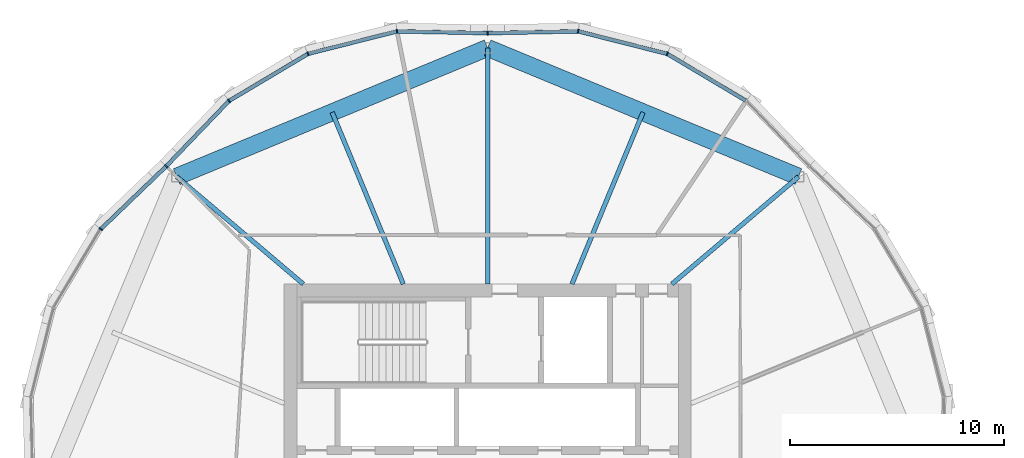
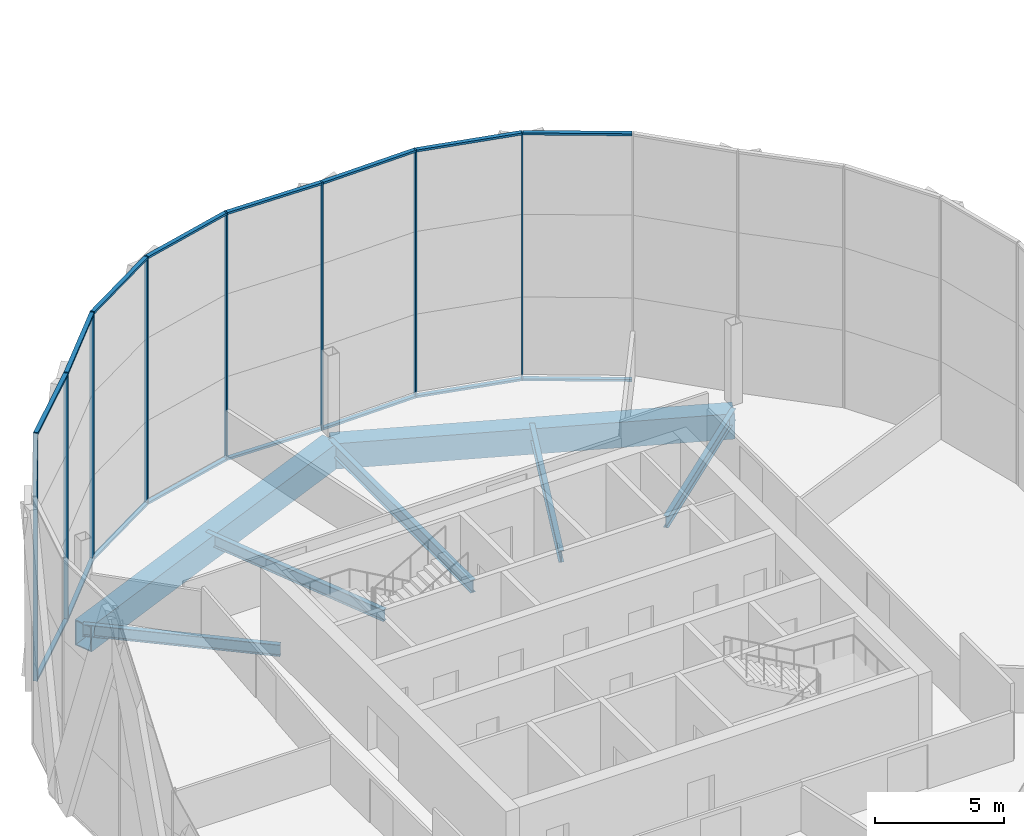
# One storey, part 7 of 25: 24 members, 7 beams, 3 elements without a shape of their own.
"""IFC4 building model written with IfcOpenShell, lengths in metres."""

from ifc_helpers import new_model, si_unit, direction, frame, origin, origin_2d, place, context, subcontext, project, spatial, rectangle, hollow_rectangle, i_section, extrude, material, material_profile, profile_set, type_object, element, aggregate, save


model = new_model("IFC4")

# Units and contexts
model_context = context("Model", 3, precision=1e-05, world=origin(), true_north=direction((0.0, 1.0)))
body_context = subcontext(model_context, "Body", "Model", "MODEL_VIEW")
ifc_project = project(units=[si_unit("LENGTHUNIT", "METRE"), si_unit("AREAUNIT", "SQUARE_METRE"), si_unit("VOLUMEUNIT", "CUBIC_METRE"), si_unit("PLANEANGLEUNIT", "RADIAN"), si_unit("MASSUNIT", "GRAM", prefix="KILO")], contexts=[model_context])

# Site, building, storey
site_placement = place(None, origin())
site = spatial("IfcSite", under=ifc_project, at=site_placement, CompositionType="ELEMENT")
building_placement = place(site_placement, origin())
building = spatial("IfcBuilding", under=site, at=building_placement, Name="Ogive Gate Towers", CompositionType="ELEMENT")
storey_placement = place(building_placement, frame((0.0, 0.0, 196.800048828125)))
storey = spatial("IfcBuildingStorey", under=building, at=storey_placement, Name="L47", CompositionType="ELEMENT", Elevation=196.800048828125)

# Beams
ifc_material_1 = material(Name="Steel SM460", Category="steel")
ifc_material_profile_1 = material_profile(ifc_material_1, hollow_rectangle(XDim=0.800048828125, YDim=1.199951171875, WallThickness=0.050048828125, at=origin_2d()), Name="BX 1200x800x50")
ifc_profile_set_1 = profile_set([ifc_material_profile_1], Name="Steel SM460")
beam_type_1 = type_object("IfcBeamType", Name="Edge girder BX 1200x800x50", PredefinedType="BEAM", material=ifc_profile_set_1)
for number, where, z_axis, x_axis, name in (
    (1, (-21.490234375, 14.509765625, -0.900146484375), (-0.923877006731, 0.38268953008, 0.0), (-0.38268953008, -0.923877006731, 0.0), "T1/L47/SBM021"),
    (2, (-36.0, 20.52001953125, -0.900146484375), (-0.923877006731, -0.38268953008, 0.0), (0.38268953008, -0.923877006731, 0.0), "T1/L47/SBM022"),
):
    element("IfcBeam", number, at=place(storey_placement, frame(where, z_axis=z_axis, x_axis=x_axis)), inside=storey, type_object=beam_type_1, Name=name, PredefinedType="BEAM", context=body_context, shape_type="SweptSolid", body=[
        extrude(hollow_rectangle(XDim=0.800048828125, YDim=1.199951171875, WallThickness=0.050048828125, at=origin_2d()), origin(), (0.0, 0.0, 1.0), 15.705322265625),
    ])
ifc_material_2 = material(Name="Steel SM355", Category="steel")
ifc_material_profile_2 = material_profile(ifc_material_2, i_section(OverallWidth=0.2099609375, OverallDepth=0.550048828125, WebThickness=0.010986328125, FlangeThickness=0.01708984375, FilletRadius=0.02392578125, at=origin_2d()), Name="IPE 550")
ifc_profile_set_2 = profile_set([ifc_material_profile_2], Name="Steel SM355")
beam_type_2 = type_object("IfcBeamType", Name="Radial floor beam IPE 550", PredefinedType="BEAM", material=ifc_profile_set_2)
beam_1_placement = place(storey_placement, frame((-27.39990234375, 9.5, -0.574951171875), z_axis=(0.762795484328, 0.64663981403, 0.0), x_axis=(-0.64663981403, 0.762795484328, 0.0)))
element("IfcBeam", 3, at=beam_1_placement, inside=storey, type_object=beam_type_2, Name="T1/L47/SBM009", PredefinedType="BEAM", context=body_context, shape_type="SweptSolid", body=[
    extrude(i_section(OverallWidth=0.2099609375, OverallDepth=0.550048828125, WebThickness=0.010986328125, FlangeThickness=0.01708984375, FilletRadius=0.02392578125, at=origin_2d()), origin(), (0.0, 0.0, 1.0), 7.747314453125),
])
for number, where, z_axis, x_axis, name in (
    (4, (-32.06494140625, 9.5, -0.574951171875), (0.382678218882, 0.92388169199, 0.0), (-0.92388169199, 0.382678218882, 0.0), "T1/L47/SBM010"),
    (5, (-39.93505859375, 9.5, -0.574951171875), (-0.382678218882, 0.92388169199, 0.0), (-0.92388169199, -0.382678218882, 0.0), "T1/L47/SBM012"),
):
    element("IfcBeam", number, at=place(storey_placement, frame(where, z_axis=z_axis, x_axis=x_axis)), inside=storey, type_object=beam_type_2, Name=name, PredefinedType="BEAM", context=body_context, shape_type="SweptSolid", body=[
        extrude(i_section(OverallWidth=0.2099609375, OverallDepth=0.550048828125, WebThickness=0.010986328125, FlangeThickness=0.01708984375, FilletRadius=0.02392578125, at=origin_2d()), origin(), (0.0, 0.0, 1.0), 8.67529296875),
    ])
beam_2_placement = place(storey_placement, frame((-44.60009765625, 9.5, -0.574951171875), z_axis=(-0.762795484328, 0.64663981403, 0.0), x_axis=(-0.64663981403, -0.762795484328, 0.0)))
element("IfcBeam", 6, at=beam_2_placement, inside=storey, type_object=beam_type_2, Name="T1/L47/SBM013", PredefinedType="BEAM", context=body_context, shape_type="SweptSolid", body=[
    extrude(i_section(OverallWidth=0.2099609375, OverallDepth=0.550048828125, WebThickness=0.010986328125, FlangeThickness=0.01708984375, FilletRadius=0.02392578125, at=origin_2d()), origin(), (0.0, 0.0, 1.0), 7.747314453125),
])
ifc_material_profile_3 = material_profile(ifc_material_2, i_section(OverallWidth=0.219970703125, OverallDepth=0.60009765625, WebThickness=0.011962890625, FlangeThickness=0.01904296875, FilletRadius=0.02392578125, at=origin_2d()), Name="IPE 600")
ifc_profile_set_3 = profile_set([ifc_material_profile_3], Name="Steel SM355")
beam_type_3 = type_object("IfcBeamType", Name="Radial floor beam IPE 600", PredefinedType="BEAM", material=ifc_profile_set_3)
beam_3_placement = place(storey_placement, frame((-36.0, 9.5, -0.60009765625), z_axis=(0.0, 1.0, 0.0), x_axis=(-1.0, 0.0, 0.0)))
element("IfcBeam", 7, at=beam_3_placement, inside=storey, type_object=beam_type_3, Name="T1/L47/SBM011", PredefinedType="BEAM", context=body_context, shape_type="SweptSolid", body=[
    extrude(i_section(OverallWidth=0.219970703125, OverallDepth=0.60009765625, WebThickness=0.011962890625, FlangeThickness=0.01904296875, FilletRadius=0.02392578125, at=origin_2d()), origin(), (0.0, 0.0, 1.0), 11.02001953125),
])

# Curtain wall, members
ifc_material_3 = material(Name="Pale metal aluminium", Category="aluminium")
curtain_wall_type = type_object("IfcCurtainWallType", Name="Tower unitised wall, high zone", PredefinedType="NOTDEFINED", material=ifc_material_3)
curtain_wall_1_placement = place(storey_placement, origin())
curtain_wall_1 = element("IfcCurtainWall", 8, at=curtain_wall_1_placement, inside=storey, type_object=curtain_wall_type, Name="CW2 T1 ECW02", PredefinedType="NOTDEFINED")
ifc_material_profile_4 = material_profile(ifc_material_3, rectangle(XDim=0.179931640625, YDim=0.06005859375, at=origin_2d()), Name="60 x 180 aluminium box")
ifc_profile_set_4 = profile_set([ifc_material_profile_4], Name="Pale metal aluminium")
member_type_1 = type_object("IfcMemberType", Name="Tower unitised wall, high zone mullion 60 x 180", PredefinedType="MULLION", material=ifc_profile_set_4)
member_1_placement = place(storey_placement, frame((-27.614990234375, 20.2431640625, -0.300048828125), z_axis=(0.0, 0.0, 1.0), x_axis=(0.382683432365, 0.923879532511, 0.0)))
member_1 = element("IfcMember", 9, at=member_1_placement, type_object=member_type_1, Name="CW2 mullion", PredefinedType="MULLION", context=body_context, shape_type="SweptSolid", body=[
    extrude(rectangle(XDim=0.179931640625, YDim=0.06005859375, at=origin_2d()), origin(), (0.0, 0.0, 1.0), 11.699951171875),
])
member_2_placement = place(storey_placement, frame((-31.771728515625, 21.294921875, -0.300048828125), z_axis=(0.0, 0.0, 1.0), x_axis=(0.113636730484, 0.993522366877, 0.0)))
member_2 = element("IfcMember", 10, at=member_2_placement, type_object=member_type_1, Name="CW2 mullion", PredefinedType="MULLION", context=body_context, shape_type="SweptSolid", body=[
    extrude(rectangle(XDim=0.179931640625, YDim=0.06005859375, at=origin_2d()), origin(), (0.0, 0.0, 1.0), 11.699951171875),
])
member_3_placement = place(storey_placement, frame((-35.999755859375, 21.2099609375, -0.300048828125), z_axis=(0.0, 0.0, 1.0), x_axis=(-0.020052489003, 0.999798928628, 0.0)))
member_3 = element("IfcMember", 11, at=member_3_placement, type_object=member_type_1, Name="CW2 mullion", PredefinedType="MULLION", context=body_context, shape_type="SweptSolid", body=[
    extrude(rectangle(XDim=0.179931640625, YDim=0.06005859375, at=origin_2d()), origin(), (0.0, 0.0, 1.0), 11.699951171875),
])

curtain_wall_2_placement = place(storey_placement, origin())
curtain_wall_2 = element("IfcCurtainWall", 12, at=curtain_wall_2_placement, inside=storey, type_object=curtain_wall_type, Name="CW2 T1 ECW03", PredefinedType="NOTDEFINED")
member_4_placement = place(storey_placement, frame((-40.228271484375, 21.294921875, -0.300048828125), z_axis=(0.0, 0.0, 1.0), x_axis=(-0.113636730484, 0.993522366877, 0.0)))
member_4 = element("IfcMember", 13, at=member_4_placement, type_object=member_type_1, Name="CW2 mullion", PredefinedType="MULLION", context=body_context, shape_type="SweptSolid", body=[
    extrude(rectangle(XDim=0.179931640625, YDim=0.06005859375, at=origin_2d()), origin(), (0.0, 0.0, 1.0), 11.699951171875),
])
member_5_placement = place(storey_placement, frame((-44.385009765625, 20.2431640625, -0.300048828125), z_axis=(0.0, 0.0, 1.0), x_axis=(-0.382683432365, 0.923879532511, 0.0)))
member_5 = element("IfcMember", 14, at=member_5_placement, type_object=member_type_1, Name="CW2 mullion", PredefinedType="MULLION", context=body_context, shape_type="SweptSolid", body=[
    extrude(rectangle(XDim=0.179931640625, YDim=0.06005859375, at=origin_2d()), origin(), (0.0, 0.0, 1.0), 11.699951171875),
])
member_6_placement = place(storey_placement, frame((-48.068115234375, 18.047607421875, -0.300048828125), z_axis=(0.0, 0.0, 1.0), x_axis=(-0.622173100162, 0.782879705596, 0.0)))
member_6 = element("IfcMember", 15, at=member_6_placement, type_object=member_type_1, Name="CW2 mullion", PredefinedType="MULLION", context=body_context, shape_type="SweptSolid", body=[
    extrude(rectangle(XDim=0.179931640625, YDim=0.06005859375, at=origin_2d()), origin(), (0.0, 0.0, 1.0), 11.699951171875),
])
member_7_placement = place(storey_placement, frame((-50.99755859375, 14.997802734375, -0.300048828125), z_axis=(0.0, 0.0, 1.0), x_axis=(-0.72114385321, 0.692785351302, 0.0)))
member_7 = element("IfcMember", 16, at=member_7_placement, type_object=member_type_1, Name="CW2 mullion", PredefinedType="MULLION", context=body_context, shape_type="SweptSolid", body=[
    extrude(rectangle(XDim=0.179931640625, YDim=0.06005859375, at=origin_2d()), origin(), (0.0, 0.0, 1.0), 11.699951171875),
])

# Curtain wall, member
curtain_wall_3_placement = place(storey_placement, origin())
curtain_wall_3 = element("IfcCurtainWall", 17, at=curtain_wall_3_placement, inside=storey, type_object=curtain_wall_type, Name="CW2 T1 ECW04", PredefinedType="NOTDEFINED")
member_8_placement = place(storey_placement, frame((-54.047607421875, 12.068115234375, -0.300048828125), z_axis=(0.0, 0.0, 1.0), x_axis=(-0.782879705596, 0.622173100162, 0.0)))
member_8 = element("IfcMember", 18, at=member_8_placement, type_object=member_type_1, Name="CW2 mullion", PredefinedType="MULLION", context=body_context, shape_type="SweptSolid", body=[
    extrude(rectangle(XDim=0.179931640625, YDim=0.06005859375, at=origin_2d()), origin(), (0.0, 0.0, 1.0), 11.699951171875),
])

# Member
ifc_material_profile_5 = material_profile(ifc_material_3, rectangle(XDim=0.179931640625, YDim=0.10009765625, at=origin_2d()), Name="100 x 180 aluminium box")
ifc_profile_set_5 = profile_set([ifc_material_profile_5], Name="Pale metal aluminium")
member_type_2 = type_object("IfcMemberType", Name="Tower unitised wall, high zone transom 100 x 180", PredefinedType="USERDEFINED", material=ifc_profile_set_5)
member_9_placement = place(storey_placement, frame((-23.956787109375, 18.062255859375, 11.349853515625), z_axis=(-0.858950879232, 0.512057991899, 0.0), x_axis=(-0.512057991899, -0.858950879232, 0.0)))
member_9 = element("IfcMember", 19, at=member_9_placement, type_object=member_type_2, Name="CW2 transom", ObjectType="TRANSOM", PredefinedType="USERDEFINED", context=body_context, shape_type="SweptSolid", body=[
    extrude(rectangle(XDim=0.179931640625, YDim=0.10009765625, at=origin_2d()), origin(), (0.0, 0.0, 1.0), 4.23046875),
])

member_10_placement = place(storey_placement, frame((-23.956787109375, 18.062255859375, -0.25), z_axis=(-0.858950879232, 0.512057991899, 0.0), x_axis=(-0.512057991899, -0.858950879232, 0.0)))
member_10 = element("IfcMember", 20, at=member_10_placement, type_object=member_type_2, Name="CW2 transom", ObjectType="TRANSOM", PredefinedType="USERDEFINED", context=body_context, shape_type="SweptSolid", body=[
    extrude(rectangle(XDim=0.179931640625, YDim=0.10009765625, at=origin_2d()), origin(), (0.0, 0.0, 1.0), 4.23046875),
])

member_11_placement = place(storey_placement, frame((-27.642578125, 20.25, 11.349853515625), z_axis=(-0.969459806068, 0.245250248559, 0.0), x_axis=(-0.245250248559, -0.969459806068, 0.0)))
member_11 = element("IfcMember", 21, at=member_11_placement, type_object=member_type_2, Name="CW2 transom", ObjectType="TRANSOM", PredefinedType="USERDEFINED", context=body_context, shape_type="SweptSolid", body=[
    extrude(rectangle(XDim=0.179931640625, YDim=0.10009765625, at=origin_2d()), origin(), (0.0, 0.0, 1.0), 4.230712890625),
])

member_12_placement = place(storey_placement, frame((-27.642578125, 20.25, -0.25), z_axis=(-0.969459806068, 0.245250248559, 0.0), x_axis=(-0.245250248559, -0.969459806068, 0.0)))
member_12 = element("IfcMember", 22, at=member_12_placement, type_object=member_type_2, Name="CW2 transom", ObjectType="TRANSOM", PredefinedType="USERDEFINED", context=body_context, shape_type="SweptSolid", body=[
    extrude(rectangle(XDim=0.179931640625, YDim=0.10009765625, at=origin_2d()), origin(), (0.0, 0.0, 1.0), 4.230712890625),
])

member_13_placement = place(storey_placement, frame((-31.800537109375, 21.294189453125, 11.349853515625), z_axis=(-0.999799521205, -0.020022921839, 0.0), x_axis=(0.020022921839, -0.999799521205, 0.0)))
member_13 = element("IfcMember", 23, at=member_13_placement, type_object=member_type_2, Name="CW2 transom", ObjectType="TRANSOM", PredefinedType="USERDEFINED", context=body_context, shape_type="SweptSolid", body=[
    extrude(rectangle(XDim=0.179931640625, YDim=0.10009765625, at=origin_2d()), origin(), (0.0, 0.0, 1.0), 4.169921875),
])

member_14_placement = place(storey_placement, frame((-31.800537109375, 21.294189453125, -0.25), z_axis=(-0.999799521205, -0.020022921839, 0.0), x_axis=(0.020022921839, -0.999799521205, 0.0)))
member_14 = element("IfcMember", 24, at=member_14_placement, type_object=member_type_2, Name="CW2 transom", ObjectType="TRANSOM", PredefinedType="USERDEFINED", context=body_context, shape_type="SweptSolid", body=[
    extrude(rectangle(XDim=0.179931640625, YDim=0.10009765625, at=origin_2d()), origin(), (0.0, 0.0, 1.0), 4.169921875),
])

aggregate(curtain_wall_1, [member_1, member_9, member_10, member_2, member_11, member_12, member_3, member_13, member_14])

member_15_placement = place(storey_placement, frame((-36.0302734375, 21.210693359375, 11.349853515625), z_axis=(-0.999799521205, 0.020022921839, 0.0), x_axis=(-0.020022921839, -0.999799521205, 0.0)))
member_15 = element("IfcMember", 25, at=member_15_placement, type_object=member_type_2, Name="CW2 transom", ObjectType="TRANSOM", PredefinedType="USERDEFINED", context=body_context, shape_type="SweptSolid", body=[
    extrude(rectangle(XDim=0.179931640625, YDim=0.10009765625, at=origin_2d()), origin(), (0.0, 0.0, 1.0), 4.169921875),
])

member_16_placement = place(storey_placement, frame((-36.0302734375, 21.210693359375, -0.25), z_axis=(-0.999799521205, 0.020022921839, 0.0), x_axis=(-0.020022921839, -0.999799521205, 0.0)))
member_16 = element("IfcMember", 26, at=member_16_placement, type_object=member_type_2, Name="CW2 transom", ObjectType="TRANSOM", PredefinedType="USERDEFINED", context=body_context, shape_type="SweptSolid", body=[
    extrude(rectangle(XDim=0.179931640625, YDim=0.10009765625, at=origin_2d()), origin(), (0.0, 0.0, 1.0), 4.169921875),
])

member_17_placement = place(storey_placement, frame((-40.255859375, 21.28759765625, 11.349853515625), z_axis=(-0.969459806068, -0.245250248559, 0.0), x_axis=(0.245250248559, -0.969459806068, 0.0)))
member_17 = element("IfcMember", 27, at=member_17_placement, type_object=member_type_2, Name="CW2 transom", ObjectType="TRANSOM", PredefinedType="USERDEFINED", context=body_context, shape_type="SweptSolid", body=[
    extrude(rectangle(XDim=0.179931640625, YDim=0.10009765625, at=origin_2d()), origin(), (0.0, 0.0, 1.0), 4.230712890625),
])

member_18_placement = place(storey_placement, frame((-40.255859375, 21.28759765625, -0.25), z_axis=(-0.969459806068, -0.245250248559, 0.0), x_axis=(0.245250248559, -0.969459806068, 0.0)))
member_18 = element("IfcMember", 28, at=member_18_placement, type_object=member_type_2, Name="CW2 transom", ObjectType="TRANSOM", PredefinedType="USERDEFINED", context=body_context, shape_type="SweptSolid", body=[
    extrude(rectangle(XDim=0.179931640625, YDim=0.10009765625, at=origin_2d()), origin(), (0.0, 0.0, 1.0), 4.230712890625),
])

member_19_placement = place(storey_placement, frame((-44.409423828125, 20.228515625, 11.349853515625), z_axis=(-0.858950879232, -0.512057991899, 0.0), x_axis=(0.512057991899, -0.858950879232, 0.0)))
member_19 = element("IfcMember", 29, at=member_19_placement, type_object=member_type_2, Name="CW2 transom", ObjectType="TRANSOM", PredefinedType="USERDEFINED", context=body_context, shape_type="SweptSolid", body=[
    extrude(rectangle(XDim=0.179931640625, YDim=0.10009765625, at=origin_2d()), origin(), (0.0, 0.0, 1.0), 4.23046875),
])

member_20_placement = place(storey_placement, frame((-44.409423828125, 20.228515625, -0.25), z_axis=(-0.858950879232, -0.512057991899, 0.0), x_axis=(0.512057991899, -0.858950879232, 0.0)))
member_20 = element("IfcMember", 30, at=member_20_placement, type_object=member_type_2, Name="CW2 transom", ObjectType="TRANSOM", PredefinedType="USERDEFINED", context=body_context, shape_type="SweptSolid", body=[
    extrude(rectangle(XDim=0.179931640625, YDim=0.10009765625, at=origin_2d()), origin(), (0.0, 0.0, 1.0), 4.23046875),
])

member_21_placement = place(storey_placement, frame((-48.087890625, 18.02685546875, 11.349853515625), z_axis=(-0.692766996426, -0.721161485843, 0.0), x_axis=(0.721161485843, -0.692766996426, 0.0)))
member_21 = element("IfcMember", 31, at=member_21_placement, type_object=member_type_2, Name="CW2 transom", ObjectType="TRANSOM", PredefinedType="USERDEFINED", context=body_context, shape_type="SweptSolid", body=[
    extrude(rectangle(XDim=0.179931640625, YDim=0.10009765625, at=origin_2d()), origin(), (0.0, 0.0, 1.0), 4.170166015625),
])

member_22_placement = place(storey_placement, frame((-48.087890625, 18.02685546875, -0.25), z_axis=(-0.692766996426, -0.721161485843, 0.0), x_axis=(0.721161485843, -0.692766996426, 0.0)))
member_22 = element("IfcMember", 32, at=member_22_placement, type_object=member_type_2, Name="CW2 transom", ObjectType="TRANSOM", PredefinedType="USERDEFINED", context=body_context, shape_type="SweptSolid", body=[
    extrude(rectangle(XDim=0.179931640625, YDim=0.10009765625, at=origin_2d()), origin(), (0.0, 0.0, 1.0), 4.170166015625),
])

aggregate(curtain_wall_2, [member_4, member_15, member_16, member_5, member_17, member_18, member_6, member_19, member_20, member_7, member_21, member_22])

member_23_placement = place(storey_placement, frame((-51.01953125, 14.976806640625, 11.349853515625), z_axis=(-0.721161485843, -0.692766996426, 0.0), x_axis=(0.692766996426, -0.721161485843, 0.0)))
member_23 = element("IfcMember", 33, at=member_23_placement, type_object=member_type_2, Name="CW2 transom", ObjectType="TRANSOM", PredefinedType="USERDEFINED", context=body_context, shape_type="SweptSolid", body=[
    extrude(rectangle(XDim=0.179931640625, YDim=0.10009765625, at=origin_2d()), origin(), (0.0, 0.0, 1.0), 4.170166015625),
])

member_24_placement = place(storey_placement, frame((-51.01953125, 14.976806640625, -0.25), z_axis=(-0.721161485843, -0.692766996426, 0.0), x_axis=(0.692766996426, -0.721161485843, 0.0)))
member_24 = element("IfcMember", 34, at=member_24_placement, type_object=member_type_2, Name="CW2 transom", ObjectType="TRANSOM", PredefinedType="USERDEFINED", context=body_context, shape_type="SweptSolid", body=[
    extrude(rectangle(XDim=0.179931640625, YDim=0.10009765625, at=origin_2d()), origin(), (0.0, 0.0, 1.0), 4.170166015625),
])

aggregate(curtain_wall_3, [member_8, member_23, member_24])

save(model, "model.ifc")
